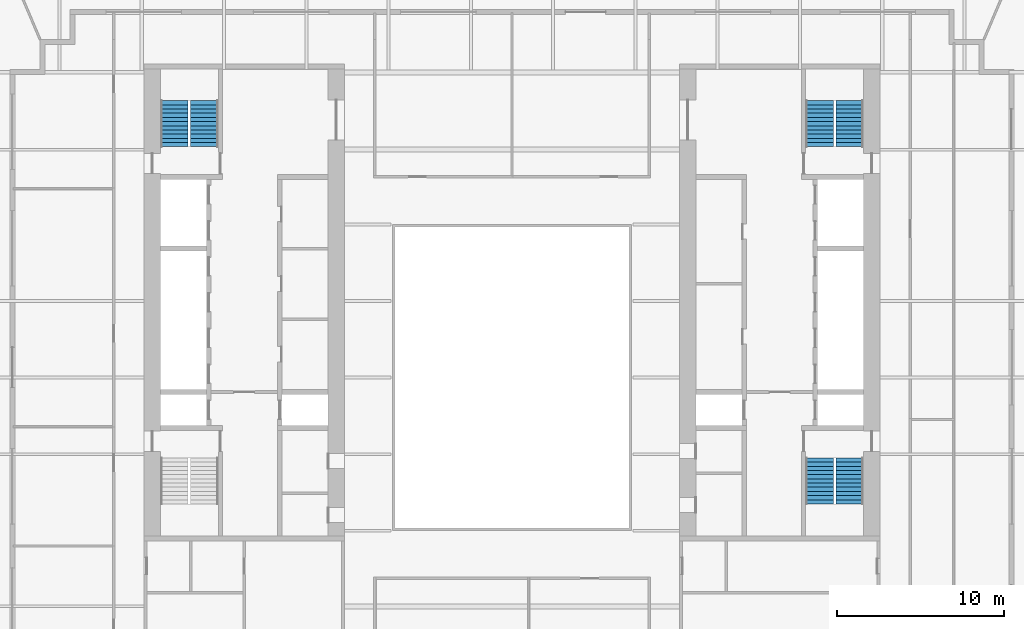
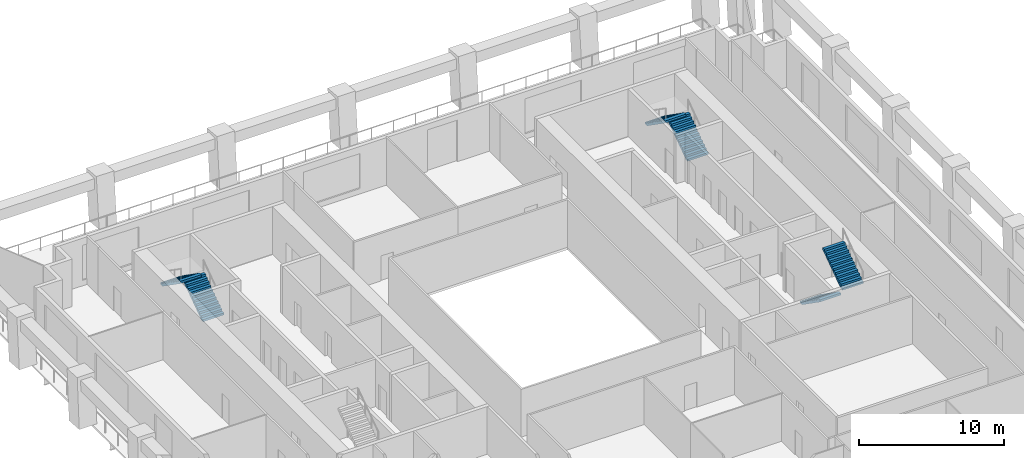
# One storey, part 8 of 9: 6 stair flights, 3 elements without a shape of their own.
"""IFC4 building model written with IfcOpenShell, lengths in metres."""

from ifc_helpers import new_model, si_unit, direction, frame, origin, place, context, subcontext, project, spatial, polyline, outline, extrude, material, type_object, element, aggregate, save


model = new_model("IFC4")

# Units and contexts
model_context = context("Model", 3, precision=1e-05, world=origin(), true_north=direction((0.0, 1.0)))
body_context = subcontext(model_context, "Body", "Model", "MODEL_VIEW")
ifc_project = project(units=[si_unit("LENGTHUNIT", "METRE"), si_unit("AREAUNIT", "SQUARE_METRE"), si_unit("VOLUMEUNIT", "CUBIC_METRE"), si_unit("PLANEANGLEUNIT", "RADIAN"), si_unit("MASSUNIT", "GRAM", prefix="KILO")], contexts=[model_context])

# Site, building, storey
site_placement = place(None, origin())
site = spatial("IfcSite", under=ifc_project, at=site_placement, CompositionType="ELEMENT")
building_placement = place(site_placement, origin())
building = spatial("IfcBuilding", under=site, at=building_placement, Name="Ogive Exchange Tower", CompositionType="ELEMENT")
storey_placement = place(building_placement, frame((0.0, 0.0, 69.0)))
storey = spatial("IfcBuildingStorey", under=building, at=storey_placement, Name="L14", CompositionType="ELEMENT", Elevation=69.0)

# Stair, stair flights
ifc_material = material(Name="Concrete C40/50", Category="concrete")
stair_type = type_object("IfcStairType", Name="Exit stair 1650 wide", PredefinedType="HALF_TURN_STAIR", material=ifc_material)
stair_1_placement = place(storey_placement, origin())
stair_1 = element("IfcStair", 1, at=stair_1_placement, inside=storey, type_object=stair_type, Name="L14 exit stair ST2", PredefinedType="HALF_TURN_STAIR")
stair_flight_type = type_object("IfcStairFlightType", Name="Stair flight 1650 wide", PredefinedType="STRAIGHT", material=ifc_material)
stair_flight_1_placement = place(storey_placement, frame((-18.375, 20.800048828125, 0.0), z_axis=(0.0, 0.0, 1.0), x_axis=(0.0, 1.0, 0.0)))
stair_flight_1 = element("IfcStairFlight", 2, at=stair_flight_1_placement, type_object=stair_flight_type, Name="ST2 flight 1", NumberOfRisers=12, NumberOfTreads=11, PredefinedType="STRAIGHT", RiserHeight=0.175, TreadLength=0.25, context=body_context, shape_type="SweptSolid", body=[
    extrude(outline(polyline([(0.0, 0.0), (0.0, 0.175048828125), (0.25, 0.175048828125), (0.25, 0.35009765625), (0.5, 0.35009765625), (0.5, 0.52490234375), (0.75, 0.52490234375), (0.75, 0.699951171875), (1.0, 0.699951171875), (1.0, 0.875), (1.25, 0.875), (1.25, 1.050048828125), (1.5, 1.050048828125), (1.5, 1.22509765625), (1.75, 1.22509765625), (1.75, 1.39990234375), (2.0, 1.39990234375), (2.0, 1.574951171875), (2.25, 1.574951171875), (2.25, 1.75), (2.5, 1.75), (2.5, 1.925048828125), (2.75, 1.925048828125), (2.75, 2.10009765625), (2.75, 1.741943359375), (0.261474609375, 0.0), (0.0, 0.0)])), frame((0.0, 0.824951171875, 0.0), z_axis=(0.0, -1.0, 0.0), x_axis=(1.0, 0.0, 0.0)), (0.0, 0.0, 1.0), 1.64990234375),
])
stair_flight_2_placement = place(storey_placement, frame((-20.175048828125, 23.550048828125, 2.10009765625), z_axis=(0.0, 0.0, 1.0), x_axis=(0.0, -1.0, 0.0)))
stair_flight_2 = element("IfcStairFlight", 3, at=stair_flight_2_placement, type_object=stair_flight_type, Name="ST2 flight 2", NumberOfRisers=12, NumberOfTreads=11, PredefinedType="STRAIGHT", RiserHeight=0.175, TreadLength=0.25, context=body_context, shape_type="SweptSolid", body=[
    extrude(outline(polyline([(0.0, 0.0), (0.0, 0.175048828125), (0.25, 0.175048828125), (0.25, 0.35009765625), (0.5, 0.35009765625), (0.5, 0.52490234375), (0.75, 0.52490234375), (0.75, 0.699951171875), (1.0, 0.699951171875), (1.0, 0.875), (1.25, 0.875), (1.25, 1.050048828125), (1.5, 1.050048828125), (1.5, 1.22509765625), (1.75, 1.22509765625), (1.75, 1.39990234375), (2.0, 1.39990234375), (2.0, 1.574951171875), (2.25, 1.574951171875), (2.25, 1.75), (2.5, 1.75), (2.5, 1.925048828125), (2.75, 1.925048828125), (2.75, 2.10009765625), (2.75, 1.741943359375), (0.261474609375, 0.0), (0.0, 0.0)])), frame((0.0, 0.824951171875, 0.0), z_axis=(0.0, -1.0, 0.0), x_axis=(1.0, 0.0, 0.0)), (0.0, 0.0, 1.0), 1.64990234375),
])
aggregate(stair_1, [stair_flight_1, stair_flight_2])

stair_2_placement = place(storey_placement, origin())
stair_2 = element("IfcStair", 4, at=stair_2_placement, inside=storey, type_object=stair_type, Name="L14 exit stair ST3", PredefinedType="HALF_TURN_STAIR")
stair_flight_3_placement = place(storey_placement, frame((18.375, 2.199951171875, 0.0), z_axis=(0.0, 0.0, 1.0), x_axis=(0.0, -1.0, 0.0)))
stair_flight_3 = element("IfcStairFlight", 5, at=stair_flight_3_placement, type_object=stair_flight_type, Name="ST3 flight 1", NumberOfRisers=12, NumberOfTreads=11, PredefinedType="STRAIGHT", RiserHeight=0.175, TreadLength=0.25, context=body_context, shape_type="SweptSolid", body=[
    extrude(outline(polyline([(0.0, 0.0), (0.0, 0.175048828125), (0.25, 0.175048828125), (0.25, 0.35009765625), (0.5, 0.35009765625), (0.5, 0.52490234375), (0.75, 0.52490234375), (0.75, 0.699951171875), (1.0, 0.699951171875), (1.0, 0.875), (1.25, 0.875), (1.25, 1.050048828125), (1.5, 1.050048828125), (1.5, 1.22509765625), (1.75, 1.22509765625), (1.75, 1.39990234375), (2.0, 1.39990234375), (2.0, 1.574951171875), (2.25, 1.574951171875), (2.25, 1.75), (2.5, 1.75), (2.5, 1.925048828125), (2.75, 1.925048828125), (2.75, 2.10009765625), (2.75, 1.741943359375), (0.261474609375, 0.0), (0.0, 0.0)])), frame((0.0, 0.824951171875, 0.0), z_axis=(0.0, -1.0, 0.0), x_axis=(1.0, 0.0, 0.0)), (0.0, 0.0, 1.0), 1.64990234375),
])
stair_flight_4_placement = place(storey_placement, frame((20.175048828125, -0.550048828125, 2.10009765625), z_axis=(0.0, 0.0, 1.0), x_axis=(0.0, 1.0, 0.0)))
stair_flight_4 = element("IfcStairFlight", 6, at=stair_flight_4_placement, type_object=stair_flight_type, Name="ST3 flight 2", NumberOfRisers=12, NumberOfTreads=11, PredefinedType="STRAIGHT", RiserHeight=0.175, TreadLength=0.25, context=body_context, shape_type="SweptSolid", body=[
    extrude(outline(polyline([(0.0, 0.0), (0.0, 0.175048828125), (0.25, 0.175048828125), (0.25, 0.35009765625), (0.5, 0.35009765625), (0.5, 0.52490234375), (0.75, 0.52490234375), (0.75, 0.699951171875), (1.0, 0.699951171875), (1.0, 0.875), (1.25, 0.875), (1.25, 1.050048828125), (1.5, 1.050048828125), (1.5, 1.22509765625), (1.75, 1.22509765625), (1.75, 1.39990234375), (2.0, 1.39990234375), (2.0, 1.574951171875), (2.25, 1.574951171875), (2.25, 1.75), (2.5, 1.75), (2.5, 1.925048828125), (2.75, 1.925048828125), (2.75, 2.10009765625), (2.75, 1.741943359375), (0.261474609375, 0.0), (0.0, 0.0)])), frame((0.0, 0.824951171875, 0.0), z_axis=(0.0, -1.0, 0.0), x_axis=(1.0, 0.0, 0.0)), (0.0, 0.0, 1.0), 1.64990234375),
])
aggregate(stair_2, [stair_flight_3, stair_flight_4])

stair_3_placement = place(storey_placement, origin())
stair_3 = element("IfcStair", 7, at=stair_3_placement, inside=storey, type_object=stair_type, Name="L14 exit stair ST4", PredefinedType="HALF_TURN_STAIR")
stair_flight_5_placement = place(storey_placement, frame((20.175048828125, 20.800048828125, 0.0), z_axis=(0.0, 0.0, 1.0), x_axis=(0.0, 1.0, 0.0)))
stair_flight_5 = element("IfcStairFlight", 8, at=stair_flight_5_placement, type_object=stair_flight_type, Name="ST4 flight 1", NumberOfRisers=12, NumberOfTreads=11, PredefinedType="STRAIGHT", RiserHeight=0.175, TreadLength=0.25, context=body_context, shape_type="SweptSolid", body=[
    extrude(outline(polyline([(0.0, 0.0), (0.0, 0.175048828125), (0.25, 0.175048828125), (0.25, 0.35009765625), (0.5, 0.35009765625), (0.5, 0.52490234375), (0.75, 0.52490234375), (0.75, 0.699951171875), (1.0, 0.699951171875), (1.0, 0.875), (1.25, 0.875), (1.25, 1.050048828125), (1.5, 1.050048828125), (1.5, 1.22509765625), (1.75, 1.22509765625), (1.75, 1.39990234375), (2.0, 1.39990234375), (2.0, 1.574951171875), (2.25, 1.574951171875), (2.25, 1.75), (2.5, 1.75), (2.5, 1.925048828125), (2.75, 1.925048828125), (2.75, 2.10009765625), (2.75, 1.741943359375), (0.261474609375, 0.0), (0.0, 0.0)])), frame((0.0, 0.824951171875, 0.0), z_axis=(0.0, -1.0, 0.0), x_axis=(1.0, 0.0, 0.0)), (0.0, 0.0, 1.0), 1.64990234375),
])
stair_flight_6_placement = place(storey_placement, frame((18.375, 23.550048828125, 2.10009765625), z_axis=(0.0, 0.0, 1.0), x_axis=(0.0, -1.0, 0.0)))
stair_flight_6 = element("IfcStairFlight", 9, at=stair_flight_6_placement, type_object=stair_flight_type, Name="ST4 flight 2", NumberOfRisers=12, NumberOfTreads=11, PredefinedType="STRAIGHT", RiserHeight=0.175, TreadLength=0.25, context=body_context, shape_type="SweptSolid", body=[
    extrude(outline(polyline([(0.0, 0.0), (0.0, 0.175048828125), (0.25, 0.175048828125), (0.25, 0.35009765625), (0.5, 0.35009765625), (0.5, 0.52490234375), (0.75, 0.52490234375), (0.75, 0.699951171875), (1.0, 0.699951171875), (1.0, 0.875), (1.25, 0.875), (1.25, 1.050048828125), (1.5, 1.050048828125), (1.5, 1.22509765625), (1.75, 1.22509765625), (1.75, 1.39990234375), (2.0, 1.39990234375), (2.0, 1.574951171875), (2.25, 1.574951171875), (2.25, 1.75), (2.5, 1.75), (2.5, 1.925048828125), (2.75, 1.925048828125), (2.75, 2.10009765625), (2.75, 1.741943359375), (0.261474609375, 0.0), (0.0, 0.0)])), frame((0.0, 0.824951171875, 0.0), z_axis=(0.0, -1.0, 0.0), x_axis=(1.0, 0.0, 0.0)), (0.0, 0.0, 1.0), 1.64990234375),
])
aggregate(stair_3, [stair_flight_5, stair_flight_6])

save(model, "model.ifc")
